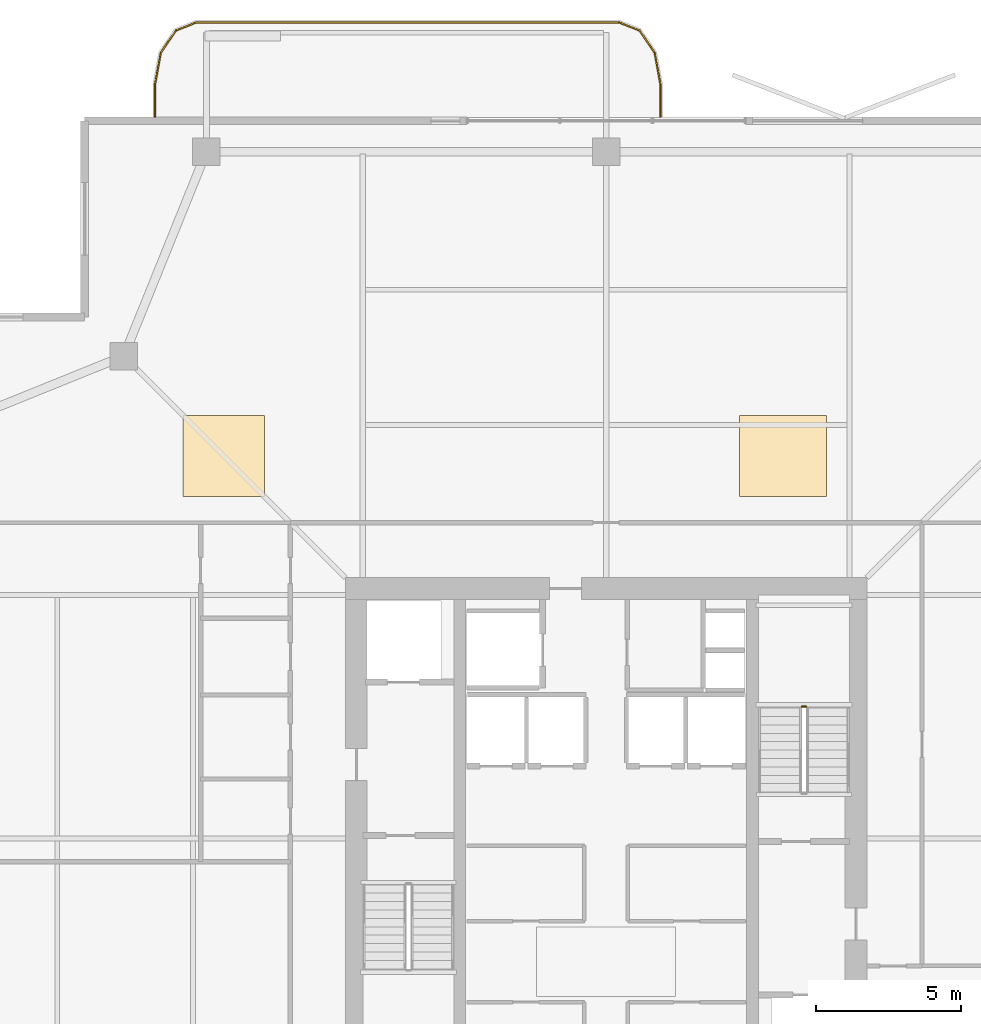
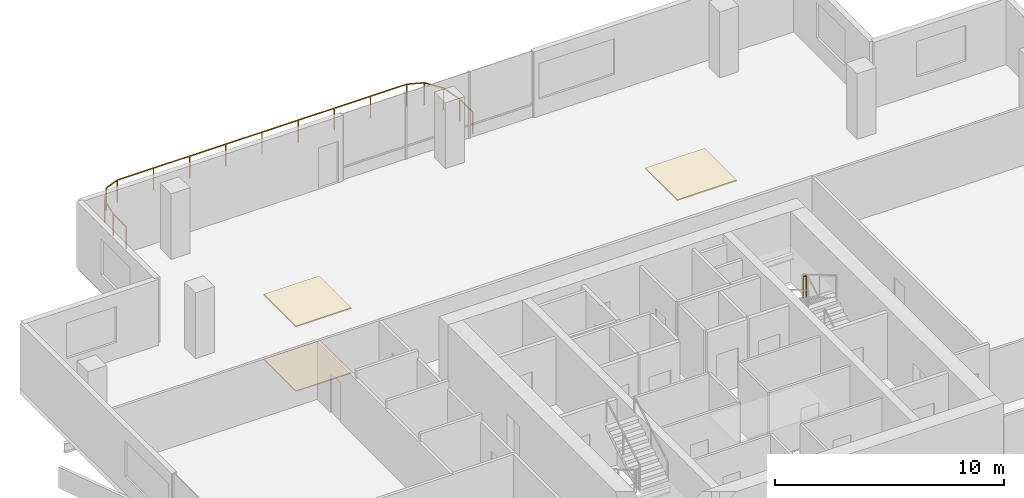
# One storey, part 23 of 24: 3 coverings, 2 railings.
"""IFC4 building model written with IfcOpenShell, lengths in metres."""

from ifc_helpers import new_model, si_unit, direction, frame, origin, origin_2d, place, context, subcontext, project, spatial, polyline, rectangle, outline, extrude, material, layer, layer_set, type_object, element, save


model = new_model("IFC4")

# Units and contexts
model_context = context("Model", 3, precision=1e-05, world=origin(), true_north=direction((0.0, 1.0)))
body_context = subcontext(model_context, "Body", "Model", "MODEL_VIEW")
ifc_project = project(units=[si_unit("LENGTHUNIT", "METRE"), si_unit("AREAUNIT", "SQUARE_METRE"), si_unit("VOLUMEUNIT", "CUBIC_METRE"), si_unit("PLANEANGLEUNIT", "RADIAN"), si_unit("MASSUNIT", "GRAM", prefix="KILO")], contexts=[model_context])

# Site, building, storey
site_placement = place(None, origin())
site = spatial("IfcSite", under=ifc_project, at=site_placement, CompositionType="ELEMENT")
building_placement = place(site_placement, origin())
building = spatial("IfcBuilding", under=site, at=building_placement, Name="Belovzor Exchange Tower", CompositionType="ELEMENT")
storey_placement = place(building_placement, frame((0.0, 0.0, 261.60009765625)))
storey = spatial("IfcBuildingStorey", under=building, at=storey_placement, Name="L65", CompositionType="ELEMENT", Elevation=261.60009765625)

# Railings
ifc_material_1 = material(Name="Stainless Steel and Laminated Safety Glass", Category="steel")
railing_type_1 = type_object("IfcRailingType", Name="Laminated Glass & Stainless Steel Balcony Balustrade 1200", PredefinedType="BALUSTRADE", material=ifc_material_1)
railing_1_placement = place(storey_placement, frame((30.669921875, 53.7099609375, 0.0)))
element("IfcRailing", 1, at=railing_1_placement, inside=storey, type_object=railing_type_1, Name="GR-1 Balcony Balustrade L65 North", PredefinedType="BALUSTRADE", context=body_context, shape_type="SweptSolid", body=[
    extrude(rectangle(XDim=0.048095703125, YDim=0.048095703125, at=origin_2d()), frame((0.0, 0.0, 1.17578125), z_axis=(0.0, 1.0, 0.0), x_axis=(-1.0, 0.0, 0.0)), (0.0, 0.0, 1.0), 1.133056640625),
    extrude(rectangle(XDim=0.048095703125, YDim=0.048095703125, at=origin_2d()), frame((0.0, 1.133056640625, 1.17578125), z_axis=(-0.180122719713, 0.983644145941, 0.0), x_axis=(-0.983644145941, -0.180122719713, 0.0)), (0.0, 0.0, 1.0), 1.09375),
    extrude(rectangle(XDim=0.048095703125, YDim=0.048095703125, at=origin_2d()), frame((-0.197021484375, 2.208984375, 1.17578125), z_axis=(-0.562768145367, 0.826614792125, 0.0), x_axis=(-0.826614792125, -0.562768145367, 0.0)), (0.0, 0.0, 1.0), 0.9326171875),
    extrude(rectangle(XDim=0.048095703125, YDim=0.048095703125, at=origin_2d()), frame((-0.721923828125, 2.97998046875, 1.17578125), z_axis=(-0.930766990125, 0.365612923861, 0.0), x_axis=(-0.365612923861, -0.930766990125, 0.0)), (0.0, 0.0, 1.0), 0.765869140625),
    extrude(rectangle(XDim=0.048095703125, YDim=0.048095703125, at=origin_2d()), frame((-1.434814453125, 3.260009765625, 1.17578125), z_axis=(-1.0, 0.0, 0.0), x_axis=(0.0, -1.0, 0.0)), (0.0, 0.0, 1.0), 14.570068359375),
    extrude(rectangle(XDim=0.048095703125, YDim=0.048095703125, at=origin_2d()), frame((-16.0048828125, 3.260009765625, 1.17578125), z_axis=(-0.930809580156, -0.365504480807, 0.0), x_axis=(0.365504480807, -0.930809580156, 0.0)), (0.0, 0.0, 1.0), 0.76611328125),
    extrude(rectangle(XDim=0.048095703125, YDim=0.048095703125, at=origin_2d()), frame((-16.718017578125, 2.97998046875, 1.17578125), z_axis=(-0.562768145367, -0.826614792125, 0.0), x_axis=(0.826614792125, -0.562768145367, 0.0)), (0.0, 0.0, 1.0), 0.9326171875),
    extrude(rectangle(XDim=0.048095703125, YDim=0.048095703125, at=origin_2d()), frame((-17.242919921875, 2.208984375, 1.17578125), z_axis=(-0.180122719713, -0.983644145941, 0.0), x_axis=(0.983644145941, -0.180122719713, 0.0)), (0.0, 0.0, 1.0), 1.09375),
    extrude(rectangle(XDim=0.048095703125, YDim=0.048095703125, at=origin_2d()), frame((-17.43994140625, 1.133056640625, 1.17578125), z_axis=(0.0, -1.0, 0.0), x_axis=(1.0, 0.0, 0.0)), (0.0, 0.0, 1.0), 1.133056640625),
    extrude(rectangle(XDim=0.0419921875, YDim=0.0419921875, at=origin_2d()), origin(), (0.0, 0.0, 1.0), 1.15185546875),
    extrude(rectangle(XDim=0.0419921875, YDim=0.0419921875, at=origin_2d()), frame((0.0, 1.133056640625, 0.0)), (0.0, 0.0, 1.0), 1.15185546875),
    extrude(rectangle(XDim=0.0419921875, YDim=0.0419921875, at=origin_2d()), frame((-0.197021484375, 2.208984375, 0.0)), (0.0, 0.0, 1.0), 1.15185546875),
    extrude(rectangle(XDim=0.0419921875, YDim=0.0419921875, at=origin_2d()), frame((-0.721923828125, 2.97998046875, 0.0)), (0.0, 0.0, 1.0), 1.15185546875),
    extrude(rectangle(XDim=0.0419921875, YDim=0.0419921875, at=origin_2d()), frame((-1.434814453125, 3.260009765625, 0.0)), (0.0, 0.0, 1.0), 1.15185546875),
    extrude(rectangle(XDim=0.0419921875, YDim=0.0419921875, at=origin_2d()), frame((-3.256103515625, 3.260009765625, 0.0)), (0.0, 0.0, 1.0), 1.15185546875),
    extrude(rectangle(XDim=0.0419921875, YDim=0.0419921875, at=origin_2d()), frame((-5.077392578125, 3.260009765625, 0.0)), (0.0, 0.0, 1.0), 1.15185546875),
    extrude(rectangle(XDim=0.0419921875, YDim=0.0419921875, at=origin_2d()), frame((-6.898681640625, 3.260009765625, 0.0)), (0.0, 0.0, 1.0), 1.15185546875),
    extrude(rectangle(XDim=0.0419921875, YDim=0.0419921875, at=origin_2d()), frame((-8.7197265625, 3.260009765625, 0.0)), (0.0, 0.0, 1.0), 1.15185546875),
    extrude(rectangle(XDim=0.0419921875, YDim=0.0419921875, at=origin_2d()), frame((-10.541015625, 3.260009765625, 0.0)), (0.0, 0.0, 1.0), 1.15185546875),
    extrude(rectangle(XDim=0.0419921875, YDim=0.0419921875, at=origin_2d()), frame((-12.3623046875, 3.260009765625, 0.0)), (0.0, 0.0, 1.0), 1.15185546875),
    extrude(rectangle(XDim=0.0419921875, YDim=0.0419921875, at=origin_2d()), frame((-14.18359375, 3.260009765625, 0.0)), (0.0, 0.0, 1.0), 1.15185546875),
    extrude(rectangle(XDim=0.0419921875, YDim=0.0419921875, at=origin_2d()), frame((-16.0048828125, 3.260009765625, 0.0)), (0.0, 0.0, 1.0), 1.15185546875),
    extrude(rectangle(XDim=0.0419921875, YDim=0.0419921875, at=origin_2d()), frame((-16.718017578125, 2.97998046875, 0.0)), (0.0, 0.0, 1.0), 1.15185546875),
    extrude(rectangle(XDim=0.0419921875, YDim=0.0419921875, at=origin_2d()), frame((-17.242919921875, 2.208984375, 0.0)), (0.0, 0.0, 1.0), 1.15185546875),
    extrude(rectangle(XDim=0.0419921875, YDim=0.0419921875, at=origin_2d()), frame((-17.43994140625, 1.133056640625, 0.0)), (0.0, 0.0, 1.0), 1.15185546875),
    extrude(rectangle(XDim=0.0419921875, YDim=0.0419921875, at=origin_2d()), frame((-17.43994140625, 0.0, 0.0)), (0.0, 0.0, 1.0), 1.15185546875),
])
ifc_material_2 = material(Name="Steel S355", Category="steel")
railing_type_2 = type_object("IfcRailingType", Name="Painted Steel Stairwell Guardrail 1200", PredefinedType="GUARDRAIL", material=ifc_material_2)
railing_2_placement = place(storey_placement, frame((35.699951171875, 33.35009765625, 1.875)))
element("IfcRailing", 2, at=railing_2_placement, inside=storey, type_object=railing_type_2, Name="L65 ST-2 stair guard 2", PredefinedType="GUARDRAIL", context=body_context, shape_type="SweptSolid", body=[
    extrude(rectangle(XDim=0.048095703125, YDim=0.048095703125, at=origin_2d()), frame((0.0, 0.0, 1.17578125), z_axis=(-1.0, 0.0, 0.0), x_axis=(0.0, -1.0, 0.0)), (0.0, 0.0, 1.0), 0.14990234375),
    extrude(rectangle(XDim=0.0419921875, YDim=0.0419921875, at=origin_2d()), origin(), (0.0, 0.0, 1.0), 1.15185546875),
    extrude(rectangle(XDim=0.0419921875, YDim=0.0419921875, at=origin_2d()), frame((-0.14990234375, 0.0, 0.0)), (0.0, 0.0, 1.0), 1.15185546875),
])

# Coverings
ifc_material_3 = material(Name="Perforated Powder-Coated Aluminium", Category="aluminium")
ifc_layer_1 = layer(ifc_material_3, 0.06005859375)
ifc_layer_set_1 = layer_set([ifc_layer_1], Name="Perforated Powder-Coated Aluminium")
covering_type_1 = type_object("IfcCoveringType", Name="Perforated Acoustic Metal Tile Suspended Ceiling 60", PredefinedType="CEILING", material=ifc_layer_set_1)
covering_1_placement = place(storey_placement, frame((0.0, 0.0, 3.43994140625)))
element("IfcCovering", 3, at=covering_1_placement, inside=storey, type_object=covering_type_1, Name="CLG-AC60 Suspended Ceiling CLG-L65-Z2", PredefinedType="CEILING", context=body_context, shape_type="SweptSolid", body=[
    extrude(outline(polyline([(33.39990234375, 40.60009765625), (36.39990234375, 40.60009765625), (36.39990234375, 43.39990234375), (33.39990234375, 43.39990234375), (33.39990234375, 40.60009765625)])), origin(), (0.0, 0.0, 1.0), 0.06005859375),
])
covering_2_placement = place(storey_placement, frame((0.0, 0.0, 3.43994140625)))
element("IfcCovering", 4, at=covering_2_placement, inside=storey, type_object=covering_type_1, Name="CLG-AC60 Suspended Ceiling CLG-L65-Z3", PredefinedType="CEILING", context=body_context, shape_type="SweptSolid", body=[
    extrude(outline(polyline([(14.199951171875, 40.60009765625), (17.0, 40.60009765625), (17.0, 43.39990234375), (14.199951171875, 43.39990234375), (14.199951171875, 40.60009765625)])), origin(), (0.0, 0.0, 1.0), 0.06005859375),
])
ifc_material_4 = material(Name="Polished Natural Granite Tile", Category="masonry")
ifc_layer_2 = layer(ifc_material_4, 0.050048828125)
ifc_layer_set_2 = layer_set([ifc_layer_2], Name="Polished Natural Granite Tile")
covering_type_2 = type_object("IfcCoveringType", Name="Polished Karelian Granite & Raised Access Floor Finish 50", PredefinedType="FLOORING", material=ifc_layer_set_2)
covering_3_placement = place(storey_placement, origin())
element("IfcCovering", 5, at=covering_3_placement, inside=storey, type_object=covering_type_2, Name="FLR-GR50 Floor Finish FLR-L65-Z3", PredefinedType="FLOORING", context=body_context, shape_type="SweptSolid", body=[
    extrude(outline(polyline([(14.199951171875, 40.60009765625), (17.0, 40.60009765625), (17.0, 43.39990234375), (14.199951171875, 43.39990234375), (14.199951171875, 40.60009765625)])), origin(), (0.0, 0.0, 1.0), 0.0498046875),
])

save(model, "model.ifc")
